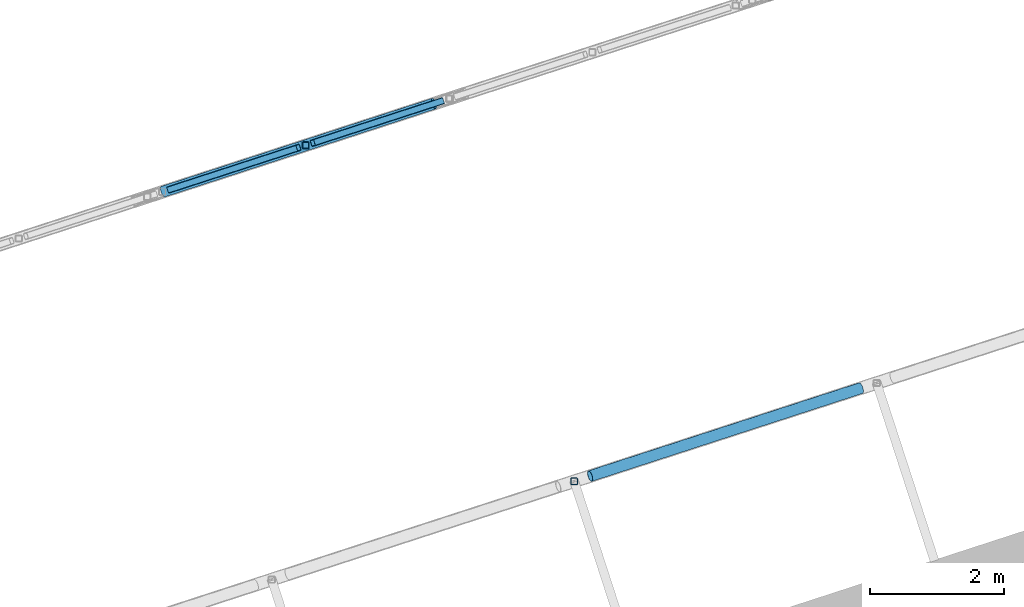
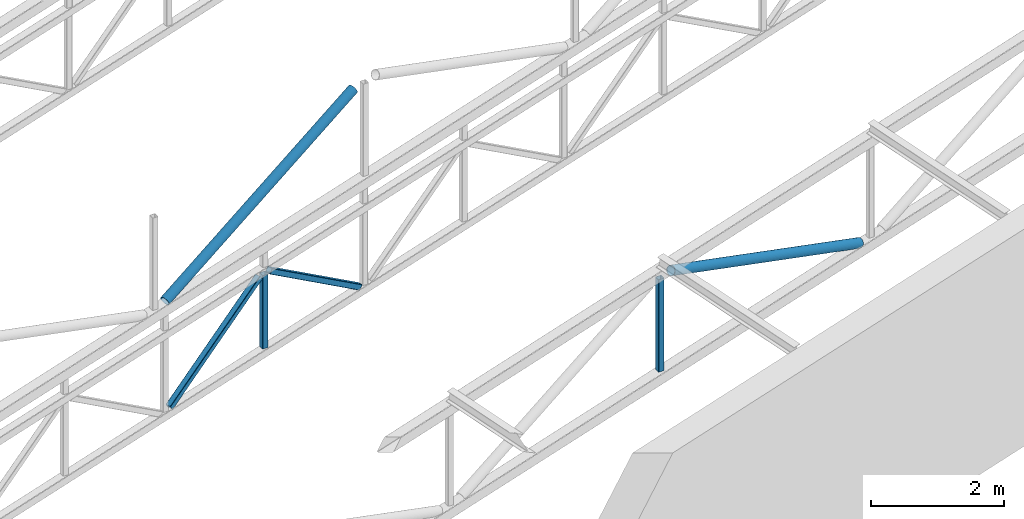
# One storey, part 10 of 81: 6 members.
"""IFC4 building model written with IfcOpenShell, lengths in metres."""

from ifc_helpers import new_model, si_unit, direction, frame, origin, origin_2d, place, context, subcontext, project, spatial, hollow_rectangle, hollow_circle, extrude, material, material_profile, profile_set, type_object, element, save


model = new_model("IFC4")

# Units and contexts
model_context = context("Model", 3, precision=1e-05, world=origin(), true_north=direction((0.0, 1.0)))
body_context = subcontext(model_context, "Body", "Model", "MODEL_VIEW")
ifc_project = project(units=[si_unit("LENGTHUNIT", "METRE"), si_unit("AREAUNIT", "SQUARE_METRE"), si_unit("VOLUMEUNIT", "CUBIC_METRE"), si_unit("PLANEANGLEUNIT", "RADIAN"), si_unit("MASSUNIT", "GRAM", prefix="KILO")], contexts=[model_context])

# Site, building, storey
site_placement = place(None, origin())
site = spatial("IfcSite", under=ifc_project, at=site_placement, CompositionType="ELEMENT")
building_placement = place(site_placement, origin())
building = spatial("IfcBuilding", under=site, at=building_placement, Name="Tuart Plaza Theatre", CompositionType="ELEMENT")
storey_placement = place(building_placement, frame((0.0, 0.0, 17.5)))
storey = spatial("IfcBuildingStorey", under=building, at=storey_placement, Name="L04", CompositionType="ELEMENT", Elevation=17.5)

# Members
ifc_material_1 = material(Name="Steel Grade C350L0", Category="steel")
ifc_material_profile_1 = material_profile(ifc_material_1, hollow_rectangle(XDim=0.10009765625, YDim=0.10009765625, WallThickness=0.006103515625, InnerFilletRadius=0.006103515625, OuterFilletRadius=0.011962890625, at=origin_2d()), Name="100x100x6 SHS")
ifc_profile_set_1 = profile_set([ifc_material_profile_1], Name="Steel Grade C350L0")
member_type_1 = type_object("IfcMemberType", Name="MEMBER Brace 100x100x6 SHS", PredefinedType="BRACE", material=ifc_profile_set_1)
for number, where, z_axis, x_axis, name in (
    (1, (56.828369140625, 53.681884765625, 1.099365234375), (0.791072972357, 0.257066093415, 0.555086097847), (-0.309050599318, 0.951045596731, 0.0), "BR111"),
    (2, (58.96630859375, 54.37646484375, 2.449462890625), (0.791072972357, 0.257066093415, -0.555086097847), (-0.309050599318, 0.951045596731, 0.0), "BR112"),
):
    element("IfcMember", number, at=place(storey_placement, frame(where, z_axis=z_axis, x_axis=x_axis)), inside=storey, type_object=member_type_1, Name=name, PredefinedType="BRACE", context=body_context, shape_type="SweptSolid", body=[
        extrude(hollow_rectangle(XDim=0.10009765625, YDim=0.10009765625, WallThickness=0.006103515625, InnerFilletRadius=0.006103515625, OuterFilletRadius=0.011962890625, at=origin_2d()), origin(), (0.0, 0.0, 1.0), 2.43212890625),
    ])
ifc_material_2 = material(Name="Steel Grade C350L0", Category="steel")
ifc_material_profile_2 = material_profile(ifc_material_2, hollow_circle(Radius=0.084228515625, WallThickness=0.00634765625, at=origin_2d()), Name="168.3x6.4 CHS")
ifc_profile_set_2 = profile_set([ifc_material_profile_2], Name="Steel Grade C350L0")
member_type_2 = type_object("IfcMemberType", Name="MEMBER Brace 168.3x6.4 CHS", PredefinedType="BRACE", material=ifc_profile_set_2)
for number, where, z_axis, x_axis, name in (
    (3, (63.1005859375, 49.4111328125, 4.00732421875), (0.882822840615, 0.286849316519, -0.371942605385), (-0.309019710385, 0.951055633806, 0.0), "BR4"),
    (4, (56.73681640625, 53.652099609375, 3.099365234375), (0.882805299901, 0.28684361714, 0.371988631241), (-0.309019710385, 0.951055633806, 0.0), "BR9"),
):
    element("IfcMember", number, at=place(storey_placement, frame(where, z_axis=z_axis, x_axis=x_axis)), inside=storey, type_object=member_type_2, Name=name, PredefinedType="BRACE", context=body_context, shape_type="SweptSolid", body=[
        extrude(hollow_circle(Radius=0.084228515625, WallThickness=0.00634765625, at=origin_2d()), origin(), (0.0, 0.0, 1.0), 4.570556640625),
    ])
ifc_material_3 = material(Name="Steel Grade C350L0", Category="steel")
ifc_material_profile_3 = material_profile(ifc_material_3, hollow_rectangle(XDim=0.10009765625, YDim=0.10009765625, WallThickness=0.006103515625, InnerFilletRadius=0.006103515625, OuterFilletRadius=0.011962890625, at=origin_2d()), Name="100x100x6 SHS")
ifc_profile_set_3 = profile_set([ifc_material_profile_3], Name="Steel Grade C350L0")
member_type_3 = type_object("IfcMemberType", Name="MEMBER Post 100x100x6 SHS", PredefinedType="POST", material=ifc_profile_set_3)
member_1_placement = place(storey_placement, frame((62.86328125, 49.333984375, 2.307373046875), z_axis=(0.0, 0.0, 1.0), x_axis=(1.0, 0.0, 0.0)))
element("IfcMember", 5, at=member_1_placement, inside=storey, type_object=member_type_3, Name="PO4", PredefinedType="POST", context=body_context, shape_type="SweptSolid", body=[
    extrude(hollow_rectangle(XDim=0.10009765625, YDim=0.10009765625, WallThickness=0.006103515625, InnerFilletRadius=0.006103515625, OuterFilletRadius=0.011962890625, at=origin_2d()), origin(), (0.0, 0.0, 1.0), 1.699951171875),
])
member_2_placement = place(storey_placement, frame((58.859375, 54.341796875, 1.099365234375), z_axis=(0.0, 0.0, 1.0), x_axis=(1.0, 0.0, 0.0)))
element("IfcMember", 6, at=member_2_placement, inside=storey, type_object=member_type_3, Name="PO114", PredefinedType="POST", context=body_context, shape_type="SweptSolid", body=[
    extrude(hollow_rectangle(XDim=0.10009765625, YDim=0.10009765625, WallThickness=0.006103515625, InnerFilletRadius=0.006103515625, OuterFilletRadius=0.011962890625, at=origin_2d()), origin(), (0.0, 0.0, 1.0), 1.35009765625),
])

save(model, "model.ifc")
